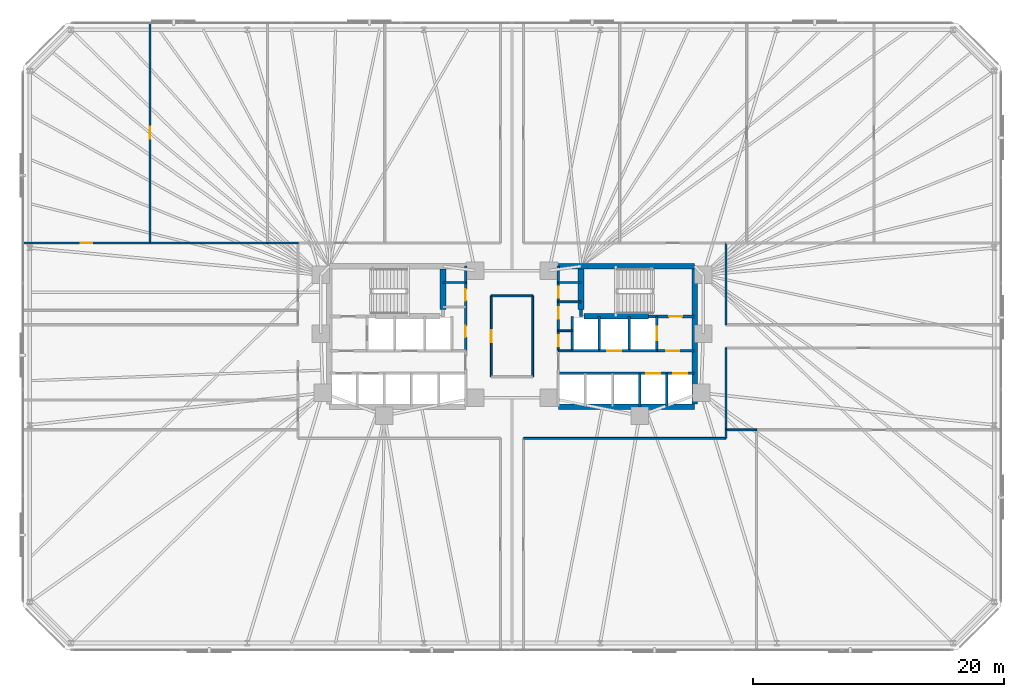
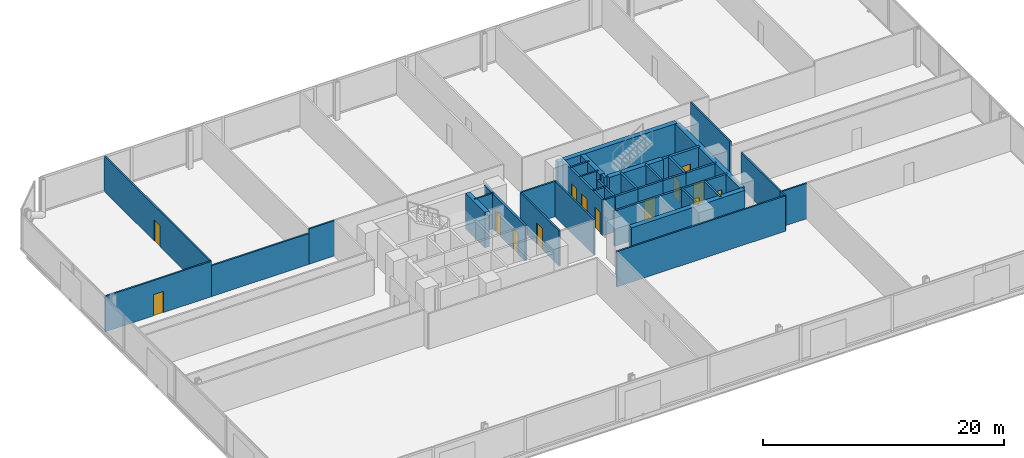
# One storey, part 13 of 16: 38 walls, 14 doors, 14 openings.
"""IFC4 building model written with IfcOpenShell, lengths in metres."""

from ifc_helpers import new_model, si_unit, direction, frame, frame_2d, origin, place, context, subcontext, project, spatial, rectangle, extrude, material, layer, layer_set, type_object, element, fill, save


model = new_model("IFC4")

# Units and contexts
model_context = context("Model", 3, precision=1e-05, world=origin(), true_north=direction((0.0, 1.0)))
body_context = subcontext(model_context, "Body", "Model", "MODEL_VIEW")
ifc_project = project(units=[si_unit("LENGTHUNIT", "METRE"), si_unit("AREAUNIT", "SQUARE_METRE"), si_unit("VOLUMEUNIT", "CUBIC_METRE"), si_unit("PLANEANGLEUNIT", "RADIAN"), si_unit("MASSUNIT", "GRAM", prefix="KILO")], contexts=[model_context])

# Site, building, storey
site_placement = place(None, origin())
site = spatial("IfcSite", under=ifc_project, at=site_placement, CompositionType="ELEMENT")
building_placement = place(site_placement, origin())
building = spatial("IfcBuilding", under=site, at=building_placement, Name="Menara Jurai Vektor", CompositionType="ELEMENT")
storey_placement = place(building_placement, frame((0.0, 0.0, 33.199951171875)))
storey = spatial("IfcBuildingStorey", under=building, at=storey_placement, Name="L07", CompositionType="ELEMENT", Elevation=33.199951171875)

# Wall, opening, door
ifc_material_1 = material(Name="Concrete C40/50", Category="concrete")
ifc_layer_1 = layer(ifc_material_1, 0.25)
ifc_layer_set_1 = layer_set([ifc_layer_1], Name="Concrete C40/50")
wall_type_1 = type_object("IfcWallType", Name="INT-WALL-CORE-250", PredefinedType="STANDARD", material=ifc_layer_set_1)
wall_1_placement = place(storey_placement, frame((10.89990234375, 1.60009765625, 0.0), z_axis=(0.0, 0.0, 1.0), x_axis=(1.0, 0.0, 0.0)))
wall_1 = element("IfcWall", 1, at=wall_1_placement, inside=storey, type_object=wall_type_1, Name="Interior Wall IW-250 L07", PredefinedType="STANDARD", context=body_context, shape_type="SweptSolid", body=[
    extrude(rectangle(XDim=3.60009765625, YDim=0.25, at=frame_2d((1.800048828125, 0.0))), origin(), (0.0, 0.0, 1.0), 3.574951171875),
])
opening_1_placement = place(wall_1_placement, frame((1.6201171875, 0.0, 0.0)))
opening_1 = element("IfcOpeningElement", 2, at=opening_1_placement, cuts=wall_1, Name="Opening D-L07-ST2", PredefinedType="OPENING", context=body_context, shape_type="SweptSolid", body=[
    extrude(rectangle(XDim=1.050048828125, YDim=2.14990234375, at=frame_2d((0.52490234375, 1.074951171875))), frame((0.0, 0.135009765625, 0.0), z_axis=(0.0, -1.0, 0.0), x_axis=(1.0, 0.0, 0.0)), (0.0, 0.0, 1.0), 0.27001953125),
])
ifc_material_2 = material(Name="Fire-Rated Steel Door", Category="steel")
door_type_1 = type_object("IfcDoorType", Name="DR-STAIR-1050", OperationType="NOTDEFINED", PredefinedType="DOOR", material=ifc_material_2)
door_1_placement = place(opening_1_placement, origin())
door_1 = element("IfcDoor", 3, at=door_1_placement, inside=storey, type_object=door_type_1, Name="Exit Stair ST2 Door L07", OperationType="SINGLE_SWING_LEFT", OverallHeight=2.14990234375, OverallWidth=1.050048828125, PredefinedType="DOOR", context=body_context, shape_type="SweptSolid", body=[
    extrude(rectangle(XDim=1.050048828125, YDim=2.14990234375, at=frame_2d((0.52490234375, 1.074951171875))), frame((0.0, 0.02490234375, 0.0), z_axis=(0.0, -1.0, 0.0), x_axis=(1.0, 0.0, 0.0)), (0.0, 0.0, 1.0), 0.050048828125),
])
fill(opening_1, door_1)

# Wall
wall_2_placement = place(storey_placement, frame((5.5, 1.60009765625, 0.0), z_axis=(0.0, 0.0, 1.0), x_axis=(0.0, 1.0, 0.0)))
element("IfcWall", 4, at=wall_2_placement, inside=storey, type_object=wall_type_1, Name="Interior Wall IW-250 L07", PredefinedType="STANDARD", context=body_context, shape_type="SweptSolid", body=[
    extrude(rectangle(XDim=0.5498046875, YDim=0.25, at=frame_2d((0.27490234375, 0.0))), origin(), (0.0, 0.0, 1.0), 3.574951171875),
])

# Wall, opening, door
wall_3_placement = place(storey_placement, frame((11.550048828125, -1.14990234375, 0.0), z_axis=(0.0, 0.0, 1.0), x_axis=(0.0, 1.0, 0.0)))
wall_3 = element("IfcWall", 5, at=wall_3_placement, inside=storey, type_object=wall_type_1, Name="Interior Wall IW-250 L07", PredefinedType="STANDARD", context=body_context, shape_type="SweptSolid", body=[
    extrude(rectangle(XDim=2.75, YDim=0.199951171875, at=frame_2d((1.375, 0.0))), origin(), (0.0, 0.0, 1.0), 3.574951171875),
])
opening_2_placement = place(wall_3_placement, frame((0.824951171875, 0.0, 0.0)))
opening_2 = element("IfcOpeningElement", 6, at=opening_2_placement, cuts=wall_3, Name="Opening LD-L07-FL2", PredefinedType="OPENING", context=body_context, shape_type="SweptSolid", body=[
    extrude(rectangle(XDim=1.10009765625, YDim=2.14990234375, at=frame_2d((0.550048828125, 1.074951171875))), frame((0.0, 0.10986328125, 0.0), z_axis=(0.0, -1.0, 0.0), x_axis=(1.0, 0.0, 0.0)), (0.0, 0.0, 1.0), 0.219970703125),
])
ifc_material_3 = material(Name="Stainless Steel Sliding Lift Landing Door", Category="steel")
door_type_2 = type_object("IfcDoorType", Name="DR-LIFT-FIRE-1100", OperationType="NOTDEFINED", PredefinedType="DOOR", material=ifc_material_3)
door_2_placement = place(opening_2_placement, origin())
door_2 = element("IfcDoor", 7, at=door_2_placement, inside=storey, type_object=door_type_2, Name="Lift Landing Door FL2 L07", OperationType="SLIDING_TO_RIGHT", OverallHeight=2.14990234375, OverallWidth=1.10009765625, PredefinedType="DOOR", context=body_context, shape_type="SweptSolid", body=[
    extrude(rectangle(XDim=1.10009765625, YDim=2.14990234375, at=frame_2d((0.550048828125, 1.074951171875))), frame((0.0, 0.02490234375, 0.0), z_axis=(0.0, -1.0, 0.0), x_axis=(1.0, 0.0, 0.0)), (0.0, 0.0, 1.0), 0.050048828125),
])
fill(opening_2, door_2)

# Wall
wall_4_placement = place(storey_placement, frame((9.35009765625, -1.14990234375, 0.0), z_axis=(0.0, 0.0, 1.0), x_axis=(0.0, 1.0, 0.0)))
element("IfcWall", 8, at=wall_4_placement, inside=storey, type_object=wall_type_1, Name="Interior Wall IW-250 L07", PredefinedType="STANDARD", context=body_context, shape_type="SweptSolid", body=[
    extrude(rectangle(XDim=2.75, YDim=0.199951171875, at=frame_2d((1.375, 0.0))), origin(), (0.0, 0.0, 1.0), 3.574951171875),
])

# Wall, opening, door
wall_5_placement = place(storey_placement, frame((11.550048828125, -1.14990234375, 0.0), z_axis=(0.0, 0.0, 1.0), x_axis=(1.0, 0.0, 0.0)))
wall_5 = element("IfcWall", 9, at=wall_5_placement, inside=storey, type_object=wall_type_1, Name="Interior Wall IW-250 L07", PredefinedType="STANDARD", context=body_context, shape_type="SweptSolid", body=[
    extrude(rectangle(XDim=2.949951171875, YDim=0.199951171875, at=frame_2d((1.47509765625, 0.0))), origin(), (0.0, 0.0, 1.0), 3.574951171875),
])
opening_3_placement = place(wall_5_placement, frame((0.75, 0.0, 0.0)))
opening_3 = element("IfcOpeningElement", 10, at=opening_3_placement, cuts=wall_5, Name="Opening D-L07-FFE", PredefinedType="OPENING", context=body_context, shape_type="SweptSolid", body=[
    extrude(rectangle(XDim=1.050048828125, YDim=2.179931640625, at=frame_2d((0.52490234375, 1.08984375))), frame((0.0, 0.10986328125, 0.0), z_axis=(0.0, -1.0, 0.0), x_axis=(1.0, 0.0, 0.0)), (0.0, 0.0, 1.0), 0.219970703125),
])
ifc_material_4 = material(Name="Fire-Rated Timber Door", Category="wood")
door_type_3 = type_object("IfcDoorType", Name="DR-LOBBY-1050", OperationType="NOTDEFINED", PredefinedType="DOOR", material=ifc_material_4)
door_3_placement = place(opening_3_placement, origin())
door_3 = element("IfcDoor", 11, at=door_3_placement, inside=storey, type_object=door_type_3, Name="Fire Lift Lobby Door E L07", OperationType="SINGLE_SWING_LEFT", OverallHeight=2.179931640625, OverallWidth=1.050048828125, PredefinedType="DOOR", context=body_context, shape_type="SweptSolid", body=[
    extrude(rectangle(XDim=1.050048828125, YDim=2.179931640625, at=frame_2d((0.52490234375, 1.08984375))), frame((0.0, 0.02490234375, 0.0), z_axis=(0.0, -1.0, 0.0), x_axis=(1.0, 0.0, 0.0)), (0.0, 0.0, 1.0), 0.050048828125),
])
fill(opening_3, door_3)

# Walls
wall_6_placement = place(storey_placement, frame((9.35009765625, -1.14990234375, 0.0), z_axis=(0.0, 0.0, 1.0), x_axis=(1.0, 0.0, 0.0)))
element("IfcWall", 12, at=wall_6_placement, inside=storey, type_object=wall_type_1, Name="Interior Wall IW-250 L07", PredefinedType="STANDARD", context=body_context, shape_type="SweptSolid", body=[
    extrude(rectangle(XDim=2.199951171875, YDim=0.199951171875, at=frame_2d((1.10009765625, 0.0))), origin(), (0.0, 0.0, 1.0), 3.574951171875),
])
ifc_material_5 = material(Name="Gypsum Fireboard Partition", Category="gypsum")
ifc_layer_2 = layer(ifc_material_5, 0.14990234375)
ifc_layer_set_2 = layer_set([ifc_layer_2], Name="Gypsum Fireboard Partition")
wall_type_2 = type_object("IfcWallType", Name="INT-WALL-CORR-150", PredefinedType="PARTITIONING", material=ifc_layer_set_2)
wall_7_placement = place(storey_placement, frame((3.699951171875, -1.14990234375, 0.0), z_axis=(0.0, 0.0, 1.0), x_axis=(1.0, 0.0, 0.0)))
element("IfcWall", 13, at=wall_7_placement, inside=storey, type_object=wall_type_2, Name="Interior Wall IW-150 L07", PredefinedType="PARTITIONING", context=body_context, shape_type="SweptSolid", body=[
    extrude(rectangle(XDim=1.090087890625, YDim=0.14990234375, at=frame_2d((0.544921875, 0.0))), origin(), (0.0, 0.0, 1.0), 3.574951171875),
])
for number, where, z_axis, x_axis, name in (
    (14, (-5.5, 4.300048828125, 0.0), (0.0, 0.0, 1.0), (1.0, 0.0, 0.0), "Interior Wall IW-150 L07"),
    (15, (3.699951171875, 4.300048828125, 0.0), (0.0, 0.0, 1.0), (1.0, 0.0, 0.0), "Interior Wall IW-150 L07"),
):
    element("IfcWall", number, at=place(storey_placement, frame(where, z_axis=z_axis, x_axis=x_axis)), inside=storey, type_object=wall_type_2, Name=name, PredefinedType="PARTITIONING", context=body_context, shape_type="SweptSolid", body=[
        extrude(rectangle(XDim=1.800048828125, YDim=0.14990234375, at=frame_2d((0.89990234375, 0.0))), origin(), (0.0, 0.0, 1.0), 3.574951171875),
    ])
wall_8_placement = place(storey_placement, frame((3.699951171875, 0.449951171875, 0.0), z_axis=(0.0, 0.0, 1.0), x_axis=(1.0, 0.0, 0.0)))
element("IfcWall", 16, at=wall_8_placement, inside=storey, type_object=wall_type_2, Name="Interior Wall IW-150 L07", PredefinedType="PARTITIONING", context=body_context, shape_type="SweptSolid", body=[
    extrude(rectangle(XDim=1.090087890625, YDim=0.14990234375, at=frame_2d((0.544921875, 0.0))), origin(), (0.0, 0.0, 1.0), 3.574951171875),
])
wall_9_placement = place(storey_placement, frame((3.699951171875, 2.75, 0.0), z_axis=(0.0, 0.0, 1.0), x_axis=(1.0, 0.0, 0.0)))
element("IfcWall", 17, at=wall_9_placement, inside=storey, type_object=wall_type_2, Name="Interior Wall IW-150 L07", PredefinedType="PARTITIONING", context=body_context, shape_type="SweptSolid", body=[
    extrude(rectangle(XDim=1.800048828125, YDim=0.14990234375, at=frame_2d((0.89990234375, 0.0))), origin(), (0.0, 0.0, 1.0), 3.574951171875),
])

# Wall, opening, door
wall_10_placement = place(storey_placement, frame((-1.64990234375, -3.22998046875, 0.0), z_axis=(0.0, 0.0, 1.0), x_axis=(0.0, 1.0, 0.0)))
wall_10 = element("IfcWall", 18, at=wall_10_placement, inside=storey, type_object=wall_type_2, Name="Interior Wall IW-150 L07", PredefinedType="PARTITIONING", context=body_context, shape_type="SweptSolid", body=[
    extrude(rectangle(XDim=6.4599609375, YDim=0.14990234375, at=frame_2d((3.22998046875, 0.0))), origin(), (0.0, 0.0, 1.0), 3.574951171875),
])
opening_4_placement = place(wall_10_placement, frame((2.7548828125, 0.0, 0.0)))
opening_4 = element("IfcOpeningElement", 19, at=opening_4_placement, cuts=wall_10, Name="Opening D07-06", PredefinedType="OPENING", context=body_context, shape_type="SweptSolid", body=[
    extrude(rectangle(XDim=0.949951171875, YDim=2.14990234375, at=frame_2d((0.47509765625, 1.074951171875))), frame((0.0, 0.0849609375, 0.0), z_axis=(0.0, -1.0, 0.0), x_axis=(1.0, 0.0, 0.0)), (0.0, 0.0, 1.0), 0.169921875),
])
ifc_material_6 = material(Name="Solid Core Timber Fire Door", Category="wood")
door_type_4 = type_object("IfcDoorType", Name="DR-ENTRY-950", OperationType="NOTDEFINED", PredefinedType="DOOR", material=ifc_material_6)
door_4_placement = place(opening_4_placement, origin())
door_4 = element("IfcDoor", 20, at=door_4_placement, inside=storey, type_object=door_type_4, Name="Interior Door D07-06", OperationType="SINGLE_SWING_LEFT", OverallHeight=2.14990234375, OverallWidth=0.949951171875, PredefinedType="DOOR", context=body_context, shape_type="SweptSolid", body=[
    extrude(rectangle(XDim=0.949951171875, YDim=2.14990234375, at=frame_2d((0.47509765625, 1.074951171875))), frame((0.0, 0.02490234375, 0.0), z_axis=(0.0, -1.0, 0.0), x_axis=(1.0, 0.0, 0.0)), (0.0, 0.0, 1.0), 0.050048828125),
])
fill(opening_4, door_4)

# Walls
wall_11_placement = place(storey_placement, frame((-1.64990234375, 3.22998046875, 0.0), z_axis=(0.0, 0.0, 1.0), x_axis=(1.0, 0.0, 0.0)))
element("IfcWall", 21, at=wall_11_placement, inside=storey, type_object=wall_type_2, Name="Interior Wall IW-150 L07", PredefinedType="PARTITIONING", context=body_context, shape_type="SweptSolid", body=[
    extrude(rectangle(XDim=3.2998046875, YDim=0.14990234375, at=frame_2d((1.64990234375, 0.0))), origin(), (0.0, 0.0, 1.0), 3.574951171875),
])
wall_12_placement = place(storey_placement, frame((1.64990234375, -3.22998046875, 0.0), z_axis=(0.0, 0.0, 1.0), x_axis=(0.0, 1.0, 0.0)))
element("IfcWall", 22, at=wall_12_placement, inside=storey, type_object=wall_type_2, Name="Interior Wall IW-150 L07", PredefinedType="PARTITIONING", context=body_context, shape_type="SweptSolid", body=[
    extrude(rectangle(XDim=6.4599609375, YDim=0.14990234375, at=frame_2d((3.22998046875, 0.0))), origin(), (0.0, 0.0, 1.0), 3.574951171875),
])
wall_13_placement = place(storey_placement, frame((0.919921875, -8.1298828125, 0.0), z_axis=(0.0, 0.0, 1.0), x_axis=(1.0, 0.0, 0.0)))
element("IfcWall", 23, at=wall_13_placement, inside=storey, type_object=wall_type_2, Name="Interior Wall IW-150 L07", PredefinedType="PARTITIONING", context=body_context, shape_type="SweptSolid", body=[
    extrude(rectangle(XDim=16.13916015625, YDim=0.14990234375, at=frame_2d((8.069580078125, 0.0))), origin(), (0.0, 0.0, 1.0), 3.574951171875),
])
wall_14_placement = place(storey_placement, frame((17.05908203125, -8.1298828125, 0.0), z_axis=(0.0, 0.0, 1.0), x_axis=(0.0, 1.0, 0.0)))
element("IfcWall", 24, at=wall_14_placement, inside=storey, type_object=wall_type_2, Name="Interior Wall IW-150 L07", PredefinedType="PARTITIONING", context=body_context, shape_type="SweptSolid", body=[
    extrude(rectangle(XDim=0.679931640625, YDim=0.14990234375, at=frame_2d((0.33984375, 0.0))), origin(), (0.0, 0.0, 1.0), 3.574951171875),
])
for number, where, z_axis, x_axis, name in (
    (25, (17.05908203125, -7.449951171875, 0.0), (0.0, 0.0, 1.0), (0.0, 1.0, 0.0), "Interior Wall IW-150 L07"),
    (26, (17.05908203125, 0.919921875, 0.0), (0.0, 0.0, 1.0), (0.0, 1.0, 0.0), "Interior Wall IW-150 L07"),
):
    element("IfcWall", number, at=place(storey_placement, frame(where, z_axis=z_axis, x_axis=x_axis)), inside=storey, type_object=wall_type_2, Name=name, PredefinedType="PARTITIONING", context=body_context, shape_type="SweptSolid", body=[
        extrude(rectangle(XDim=6.530029296875, YDim=0.14990234375, at=frame_2d((3.26513671875, 0.0))), origin(), (0.0, 0.0, 1.0), 3.574951171875),
    ])

# Wall, opening, door
wall_15_placement = place(storey_placement, frame((-28.860107421875, 7.449951171875, 0.0), z_axis=(0.0, 0.0, 1.0), x_axis=(0.0, 1.0, 0.0)))
wall_15 = element("IfcWall", 27, at=wall_15_placement, inside=storey, type_object=wall_type_2, Name="Interior Wall IW-150 L07", PredefinedType="PARTITIONING", context=body_context, shape_type="SweptSolid", body=[
    extrude(rectangle(XDim=17.550048828125, YDim=0.14990234375, at=frame_2d((8.77490234375, 0.0))), origin(), (0.0, 0.0, 1.0), 3.574951171875),
])
opening_5_placement = place(wall_15_placement, frame((8.300048828125, 0.0, 0.0)))
opening_5 = element("IfcOpeningElement", 28, at=opening_5_placement, cuts=wall_15, Name="Opening D07-20", PredefinedType="OPENING", context=body_context, shape_type="SweptSolid", body=[
    extrude(rectangle(XDim=0.949951171875, YDim=2.14990234375, at=frame_2d((0.47509765625, 1.074951171875))), frame((0.0, 0.0849609375, 0.0), z_axis=(0.0, -1.0, 0.0), x_axis=(1.0, 0.0, 0.0)), (0.0, 0.0, 1.0), 0.169921875),
])
door_5_placement = place(opening_5_placement, origin())
door_5 = element("IfcDoor", 29, at=door_5_placement, inside=storey, type_object=door_type_4, Name="Interior Door D07-20", OperationType="SINGLE_SWING_LEFT", OverallHeight=2.14990234375, OverallWidth=0.949951171875, PredefinedType="DOOR", context=body_context, shape_type="SweptSolid", body=[
    extrude(rectangle(XDim=0.949951171875, YDim=2.14990234375, at=frame_2d((0.47509765625, 1.074951171875))), frame((0.0, 0.02490234375, 0.0), z_axis=(0.0, -1.0, 0.0), x_axis=(1.0, 0.0, 0.0)), (0.0, 0.0, 1.0), 0.050048828125),
])
fill(opening_5, door_5)

wall_16_placement = place(storey_placement, frame((-39.0, 7.449951171875, 0.0), z_axis=(0.0, 0.0, 1.0), x_axis=(1.0, 0.0, 0.0)))
wall_16 = element("IfcWall", 30, at=wall_16_placement, inside=storey, type_object=wall_type_2, Name="Interior Wall IW-150 L07", PredefinedType="PARTITIONING", context=body_context, shape_type="SweptSolid", body=[
    extrude(rectangle(XDim=10.139892578125, YDim=0.14990234375, at=frame_2d((5.06982421875, 0.0))), origin(), (0.0, 0.0, 1.0), 3.574951171875),
])
opening_6_placement = place(wall_16_placement, frame((4.594970703125, 0.0, 0.0)))
opening_6 = element("IfcOpeningElement", 31, at=opening_6_placement, cuts=wall_16, Name="Opening D07-19", PredefinedType="OPENING", context=body_context, shape_type="SweptSolid", body=[
    extrude(rectangle(XDim=0.949951171875, YDim=2.14990234375, at=frame_2d((0.47509765625, 1.074951171875))), frame((0.0, 0.0849609375, 0.0), z_axis=(0.0, -1.0, 0.0), x_axis=(1.0, 0.0, 0.0)), (0.0, 0.0, 1.0), 0.169921875),
])
door_6_placement = place(opening_6_placement, origin())
door_6 = element("IfcDoor", 32, at=door_6_placement, inside=storey, type_object=door_type_4, Name="Interior Door D07-19", OperationType="SINGLE_SWING_RIGHT", OverallHeight=2.14990234375, OverallWidth=0.949951171875, PredefinedType="DOOR", context=body_context, shape_type="SweptSolid", body=[
    extrude(rectangle(XDim=0.949951171875, YDim=2.14990234375, at=frame_2d((0.47509765625, 1.074951171875))), frame((0.0, 0.02490234375, 0.0), z_axis=(0.0, -1.0, 0.0), x_axis=(1.0, 0.0, 0.0)), (0.0, 0.0, 1.0), 0.050048828125),
])
fill(opening_6, door_6)

# Walls
for number, where, z_axis, x_axis, name in (
    (33, (-19.5, 7.449951171875, 0.0), (0.0, 0.0, 1.0), (1.0, 0.0, 0.0), "Interior Wall IW-150 L07"),
    (34, (17.05908203125, -7.449951171875, 0.0), (0.0, 0.0, 1.0), (1.0, 0.0, 0.0), "Interior Wall IW-150 L07"),
):
    element("IfcWall", number, at=place(storey_placement, frame(where, z_axis=z_axis, x_axis=x_axis)), inside=storey, type_object=wall_type_2, Name=name, PredefinedType="PARTITIONING", context=body_context, shape_type="SweptSolid", body=[
        extrude(rectangle(XDim=2.44091796875, YDim=0.14990234375, at=frame_2d((1.220458984375, 0.0))), origin(), (0.0, 0.0, 1.0), 3.574951171875),
    ])
ifc_layer_3 = layer(ifc_material_5, 0.14990234375)
ifc_layer_set_3 = layer_set([ifc_layer_3], Name="Gypsum Fireboard Partition")
wall_type_3 = type_object("IfcWallType", Name="INT-WALL-CORR-150-H1", PredefinedType="PARTITIONING", material=ifc_layer_set_3)
wall_17_placement = place(storey_placement, frame((-28.860107421875, 7.449951171875, 0.0), z_axis=(0.0, 0.0, 1.0), x_axis=(1.0, 0.0, 0.0)))
element("IfcWall", 35, at=wall_17_placement, inside=storey, type_object=wall_type_3, Name="Interior Wall IW-150 L07", PredefinedType="PARTITIONING", context=body_context, shape_type="SweptSolid", body=[
    extrude(rectangle(XDim=9.360107421875, YDim=0.14990234375, at=frame_2d((4.68017578125, 0.0))), origin(), (0.0, 0.0, 1.0), 3.125),
])

# Wall, openings, doors
ifc_layer_4 = layer(ifc_material_1, 0.199951171875)
ifc_layer_set_4 = layer_set([ifc_layer_4], Name="Concrete C40/50")
wall_type_4 = type_object("IfcWallType", Name="INT-WALL-SHAFT-200", PredefinedType="STANDARD", material=ifc_layer_set_4)
wall_18_placement = place(storey_placement, frame((-3.699951171875, -1.14990234375, 0.0), z_axis=(0.0, 0.0, 1.0), x_axis=(0.0, 1.0, 0.0)))
wall_18 = element("IfcWall", 36, at=wall_18_placement, inside=storey, type_object=wall_type_4, Name="Interior Wall IW-200 L07", PredefinedType="STANDARD", context=body_context, shape_type="SweptSolid", body=[
    extrude(rectangle(XDim=6.75, YDim=0.199951171875, at=frame_2d((3.375, 0.0))), origin(), (0.0, 0.0, 1.0), 3.574951171875),
])
opening_7_placement = place(wall_18_placement, frame((1.10009765625, 0.0, 0.0)))
opening_7 = element("IfcOpeningElement", 37, at=opening_7_placement, cuts=wall_18, Name="Opening D07-01", PredefinedType="OPENING", context=body_context, shape_type="SweptSolid", body=[
    extrude(rectangle(XDim=0.89990234375, YDim=2.14990234375, at=frame_2d((0.449951171875, 1.074951171875))), frame((0.0, 0.10986328125, 0.0), z_axis=(0.0, -1.0, 0.0), x_axis=(1.0, 0.0, 0.0)), (0.0, 0.0, 1.0), 0.219970703125),
])
opening_8_placement = place(wall_18_placement, frame((4.0, 0.0, 0.0)))
opening_8 = element("IfcOpeningElement", 38, at=opening_8_placement, cuts=wall_18, Name="Opening D07-02", PredefinedType="OPENING", context=body_context, shape_type="SweptSolid", body=[
    extrude(rectangle(XDim=0.919921875, YDim=2.14990234375, at=frame_2d((0.4599609375, 1.074951171875))), frame((0.0, 0.10986328125, 0.0), z_axis=(0.0, -1.0, 0.0), x_axis=(1.0, 0.0, 0.0)), (0.0, 0.0, 1.0), 0.219970703125),
])
door_7_placement = place(opening_7_placement, origin())
door_7 = element("IfcDoor", 39, at=door_7_placement, inside=storey, type_object=door_type_4, Name="Interior Door D07-01", OperationType="SINGLE_SWING_LEFT", OverallHeight=2.14990234375, OverallWidth=0.89990234375, PredefinedType="DOOR", context=body_context, shape_type="SweptSolid", body=[
    extrude(rectangle(XDim=0.89990234375, YDim=2.14990234375, at=frame_2d((0.449951171875, 1.074951171875))), frame((0.0, 0.02490234375, 0.0), z_axis=(0.0, -1.0, 0.0), x_axis=(1.0, 0.0, 0.0)), (0.0, 0.0, 1.0), 0.050048828125),
])
fill(opening_7, door_7)
door_8_placement = place(opening_8_placement, origin())
door_8 = element("IfcDoor", 40, at=door_8_placement, inside=storey, type_object=door_type_4, Name="Interior Door D07-02", OperationType="SINGLE_SWING_LEFT", OverallHeight=2.14990234375, OverallWidth=0.919921875, PredefinedType="DOOR", context=body_context, shape_type="SweptSolid", body=[
    extrude(rectangle(XDim=0.919921875, YDim=2.14990234375, at=frame_2d((0.4599609375, 1.074951171875))), frame((0.0, 0.02490234375, 0.0), z_axis=(0.0, -1.0, 0.0), x_axis=(1.0, 0.0, 0.0)), (0.0, 0.0, 1.0), 0.050048828125),
])
fill(opening_8, door_8)

wall_19_placement = place(storey_placement, frame((3.699951171875, -1.14990234375, 0.0), z_axis=(0.0, 0.0, 1.0), x_axis=(0.0, 1.0, 0.0)))
wall_19 = element("IfcWall", 41, at=wall_19_placement, inside=storey, type_object=wall_type_4, Name="Interior Wall IW-200 L07", PredefinedType="STANDARD", context=body_context, shape_type="SweptSolid", body=[
    extrude(rectangle(XDim=6.75, YDim=0.199951171875, at=frame_2d((3.375, 0.0))), origin(), (0.0, 0.0, 1.0), 3.574951171875),
])
opening_9_placement = place(wall_19_placement, frame((0.35009765625, 0.0, 0.0)))
opening_9 = element("IfcOpeningElement", 42, at=opening_9_placement, cuts=wall_19, Name="Opening D07-03", PredefinedType="OPENING", context=body_context, shape_type="SweptSolid", body=[
    extrude(rectangle(XDim=0.8798828125, YDim=2.14990234375, at=frame_2d((0.43994140625, 1.074951171875))), frame((0.0, 0.10986328125, 0.0), z_axis=(0.0, -1.0, 0.0), x_axis=(1.0, 0.0, 0.0)), (0.0, 0.0, 1.0), 0.219970703125),
])
opening_10_placement = place(wall_19_placement, frame((2.550048828125, 0.0, 0.0)))
opening_10 = element("IfcOpeningElement", 43, at=opening_10_placement, cuts=wall_19, Name="Opening D07-04", PredefinedType="OPENING", context=body_context, shape_type="SweptSolid", body=[
    extrude(rectangle(XDim=0.919921875, YDim=2.14990234375, at=frame_2d((0.4599609375, 1.074951171875))), frame((0.0, 0.10986328125, 0.0), z_axis=(0.0, -1.0, 0.0), x_axis=(1.0, 0.0, 0.0)), (0.0, 0.0, 1.0), 0.219970703125),
])
opening_11_placement = place(wall_19_placement, frame((4.219970703125, 0.0, 0.0)))
opening_11 = element("IfcOpeningElement", 44, at=opening_11_placement, cuts=wall_19, Name="Opening D07-05", PredefinedType="OPENING", context=body_context, shape_type="SweptSolid", body=[
    extrude(rectangle(XDim=0.8798828125, YDim=2.14990234375, at=frame_2d((0.43994140625, 1.074951171875))), frame((0.0, 0.10986328125, 0.0), z_axis=(0.0, -1.0, 0.0), x_axis=(1.0, 0.0, 0.0)), (0.0, 0.0, 1.0), 0.219970703125),
])
door_9_placement = place(opening_9_placement, origin())
door_9 = element("IfcDoor", 45, at=door_9_placement, inside=storey, type_object=door_type_4, Name="Interior Door D07-03", OperationType="SINGLE_SWING_RIGHT", OverallHeight=2.14990234375, OverallWidth=0.8798828125, PredefinedType="DOOR", context=body_context, shape_type="SweptSolid", body=[
    extrude(rectangle(XDim=0.8798828125, YDim=2.14990234375, at=frame_2d((0.43994140625, 1.074951171875))), frame((0.0, 0.02490234375, 0.0), z_axis=(0.0, -1.0, 0.0), x_axis=(1.0, 0.0, 0.0)), (0.0, 0.0, 1.0), 0.050048828125),
])
fill(opening_9, door_9)
door_10_placement = place(opening_10_placement, origin())
door_10 = element("IfcDoor", 46, at=door_10_placement, inside=storey, type_object=door_type_4, Name="Interior Door D07-04", OperationType="SINGLE_SWING_RIGHT", OverallHeight=2.14990234375, OverallWidth=0.919921875, PredefinedType="DOOR", context=body_context, shape_type="SweptSolid", body=[
    extrude(rectangle(XDim=0.919921875, YDim=2.14990234375, at=frame_2d((0.4599609375, 1.074951171875))), frame((0.0, 0.02490234375, 0.0), z_axis=(0.0, -1.0, 0.0), x_axis=(1.0, 0.0, 0.0)), (0.0, 0.0, 1.0), 0.050048828125),
])
fill(opening_10, door_10)
door_11_placement = place(opening_11_placement, origin())
door_11 = element("IfcDoor", 47, at=door_11_placement, inside=storey, type_object=door_type_4, Name="Interior Door D07-05", OperationType="SINGLE_SWING_RIGHT", OverallHeight=2.14990234375, OverallWidth=0.8798828125, PredefinedType="DOOR", context=body_context, shape_type="SweptSolid", body=[
    extrude(rectangle(XDim=0.8798828125, YDim=2.14990234375, at=frame_2d((0.43994140625, 1.074951171875))), frame((0.0, 0.02490234375, 0.0), z_axis=(0.0, -1.0, 0.0), x_axis=(1.0, 0.0, 0.0)), (0.0, 0.0, 1.0), 0.050048828125),
])
fill(opening_11, door_11)

# Wall
wall_20_placement = place(storey_placement, frame((6.949951171875, -1.14990234375, 0.0), z_axis=(0.0, 0.0, 1.0), x_axis=(0.0, 1.0, 0.0)))
element("IfcWall", 48, at=wall_20_placement, inside=storey, type_object=wall_type_4, Name="Interior Wall IW-200 L07", PredefinedType="STANDARD", context=body_context, shape_type="SweptSolid", body=[
    extrude(rectangle(XDim=2.75, YDim=0.199951171875, at=frame_2d((1.375, 0.0))), origin(), (0.0, 0.0, 1.0), 3.574951171875),
])

# Wall, opening, door
wall_21_placement = place(storey_placement, frame((6.949951171875, -1.14990234375, 0.0), z_axis=(0.0, 0.0, 1.0), x_axis=(1.0, 0.0, 0.0)))
wall_21 = element("IfcWall", 49, at=wall_21_placement, inside=storey, type_object=wall_type_4, Name="Interior Wall IW-200 L07", PredefinedType="STANDARD", context=body_context, shape_type="SweptSolid", body=[
    extrude(rectangle(XDim=2.400146484375, YDim=0.199951171875, at=frame_2d((1.2001953125, 0.0))), origin(), (0.0, 0.0, 1.0), 3.574951171875),
])
opening_12_placement = place(wall_21_placement, frame((0.64990234375, 0.0, 0.0)))
opening_12 = element("IfcOpeningElement", 50, at=opening_12_placement, cuts=wall_21, Name="Opening LD-L07-SVL2", PredefinedType="OPENING", context=body_context, shape_type="SweptSolid", body=[
    extrude(rectangle(XDim=1.10009765625, YDim=2.14990234375, at=frame_2d((0.550048828125, 1.074951171875))), frame((0.0, 0.10986328125, 0.0), z_axis=(0.0, -1.0, 0.0), x_axis=(1.0, 0.0, 0.0)), (0.0, 0.0, 1.0), 0.219970703125),
])
ifc_material_7 = material(Name="Anodised Stainless Sliding Lift Landing Door", Category="steel")
door_type_5 = type_object("IfcDoorType", Name="DR-LIFT-PASS-1100", OperationType="NOTDEFINED", PredefinedType="DOOR", material=ifc_material_7)
door_12_placement = place(opening_12_placement, origin())
door_12 = element("IfcDoor", 51, at=door_12_placement, inside=storey, type_object=door_type_5, Name="Lift Landing Door SVL2 L07", OperationType="SLIDING_TO_RIGHT", OverallHeight=2.14990234375, OverallWidth=1.10009765625, PredefinedType="DOOR", context=body_context, shape_type="SweptSolid", body=[
    extrude(rectangle(XDim=1.10009765625, YDim=2.14990234375, at=frame_2d((0.550048828125, 1.074951171875))), frame((0.0, 0.02490234375, 0.0), z_axis=(0.0, -1.0, 0.0), x_axis=(1.0, 0.0, 0.0)), (0.0, 0.0, 1.0), 0.050048828125),
])
fill(opening_12, door_12)

# Walls
wall_22_placement = place(storey_placement, frame((4.7900390625, -1.14990234375, 0.0), z_axis=(0.0, 0.0, 1.0), x_axis=(0.0, 1.0, 0.0)))
element("IfcWall", 52, at=wall_22_placement, inside=storey, type_object=wall_type_4, Name="Interior Wall IW-200 L07", PredefinedType="STANDARD", context=body_context, shape_type="SweptSolid", body=[
    extrude(rectangle(XDim=2.75, YDim=0.199951171875, at=frame_2d((1.375, 0.0))), origin(), (0.0, 0.0, 1.0), 3.574951171875),
])
wall_23_placement = place(storey_placement, frame((4.7900390625, -1.14990234375, 0.0), z_axis=(0.0, 0.0, 1.0), x_axis=(1.0, 0.0, 0.0)))
element("IfcWall", 53, at=wall_23_placement, inside=storey, type_object=wall_type_4, Name="Interior Wall IW-200 L07", PredefinedType="STANDARD", context=body_context, shape_type="SweptSolid", body=[
    extrude(rectangle(XDim=2.159912109375, YDim=0.199951171875, at=frame_2d((1.080078125, 0.0))), origin(), (0.0, 0.0, 1.0), 3.574951171875),
])

# Wall, openings, doors
wall_24_placement = place(storey_placement, frame((3.699951171875, -2.949951171875, 0.0), z_axis=(0.0, 0.0, 1.0), x_axis=(1.0, 0.0, 0.0)))
wall_24 = element("IfcWall", 54, at=wall_24_placement, inside=storey, type_object=wall_type_4, Name="Interior Wall IW-200 L07", PredefinedType="STANDARD", context=body_context, shape_type="SweptSolid", body=[
    extrude(rectangle(XDim=10.800048828125, YDim=0.199951171875, at=frame_2d((5.39990234375, 0.0))), origin(), (0.0, 0.0, 1.0), 3.574951171875),
])
opening_13_placement = place(wall_24_placement, frame((7.010009765625, 0.0, 0.0)))
opening_13 = element("IfcOpeningElement", 55, at=opening_13_placement, cuts=wall_24, Name="Opening LD-L07-PL3", PredefinedType="OPENING", context=body_context, shape_type="SweptSolid", body=[
    extrude(rectangle(XDim=1.10009765625, YDim=2.14990234375, at=frame_2d((0.550048828125, 1.074951171875))), frame((0.0, 0.10986328125, 0.0), z_axis=(0.0, -1.0, 0.0), x_axis=(1.0, 0.0, 0.0)), (0.0, 0.0, 1.0), 0.219970703125),
])
opening_14_placement = place(wall_24_placement, frame((9.169921875, 0.0, 0.0)))
opening_14 = element("IfcOpeningElement", 56, at=opening_14_placement, cuts=wall_24, Name="Opening LD-L07-PL4", PredefinedType="OPENING", context=body_context, shape_type="SweptSolid", body=[
    extrude(rectangle(XDim=1.10009765625, YDim=2.14990234375, at=frame_2d((0.550048828125, 1.074951171875))), frame((0.0, 0.10986328125, 0.0), z_axis=(0.0, -1.0, 0.0), x_axis=(1.0, 0.0, 0.0)), (0.0, 0.0, 1.0), 0.219970703125),
])
door_13_placement = place(opening_13_placement, origin())
door_13 = element("IfcDoor", 57, at=door_13_placement, inside=storey, type_object=door_type_5, Name="Lift Landing Door PL3 L07", OperationType="SLIDING_TO_RIGHT", OverallHeight=2.14990234375, OverallWidth=1.10009765625, PredefinedType="DOOR", context=body_context, shape_type="SweptSolid", body=[
    extrude(rectangle(XDim=1.10009765625, YDim=2.14990234375, at=frame_2d((0.550048828125, 1.074951171875))), frame((0.0, 0.02490234375, 0.0), z_axis=(0.0, -1.0, 0.0), x_axis=(1.0, 0.0, 0.0)), (0.0, 0.0, 1.0), 0.050048828125),
])
fill(opening_13, door_13)
door_14_placement = place(opening_14_placement, origin())
door_14 = element("IfcDoor", 58, at=door_14_placement, inside=storey, type_object=door_type_5, Name="Lift Landing Door PL4 L07", OperationType="SLIDING_TO_LEFT", OverallHeight=2.14990234375, OverallWidth=1.10009765625, PredefinedType="DOOR", context=body_context, shape_type="SweptSolid", body=[
    extrude(rectangle(XDim=1.10009765625, YDim=2.14990234375, at=frame_2d((0.550048828125, 1.074951171875))), frame((0.0, 0.02490234375, 0.0), z_axis=(0.0, -1.0, 0.0), x_axis=(1.0, 0.0, 0.0)), (0.0, 0.0, 1.0), 0.050048828125),
])
fill(opening_14, door_14)

# Walls
for number, where, z_axis, x_axis, name in (
    (59, (12.340087890625, -5.60009765625, 0.0), (0.0, 0.0, 1.0), (0.0, 1.0, 0.0), "Interior Wall IW-200 L07"),
    (60, (10.179931640625, -5.60009765625, 0.0), (0.0, 0.0, 1.0), (0.0, 1.0, 0.0), "Interior Wall IW-200 L07"),
):
    element("IfcWall", number, at=place(storey_placement, frame(where, z_axis=z_axis, x_axis=x_axis)), inside=storey, type_object=wall_type_4, Name=name, PredefinedType="STANDARD", context=body_context, shape_type="SweptSolid", body=[
        extrude(rectangle(XDim=2.650146484375, YDim=0.179931640625, at=frame_2d((1.3251953125, 0.0))), origin(), (0.0, 0.0, 1.0), 3.574951171875),
    ])
ifc_material_8 = material(Name="Concrete C60/75", Category="concrete")
ifc_layer_5 = layer(ifc_material_8, 0.449951171875)
ifc_layer_set_5 = layer_set([ifc_layer_5], Name="Concrete C60/75")
wall_type_5 = type_object("IfcWallType", Name="STR-WALL-CORE450", PredefinedType="SHEAR", material=ifc_layer_set_5)
wall_25_placement = place(storey_placement, frame((-5.5, 2.14990234375, 0.0), z_axis=(0.0, 0.0, 1.0), x_axis=(0.0, 1.0, 0.0)))
element("IfcWall", 61, at=wall_25_placement, inside=storey, type_object=wall_type_5, Name="Core Shear Wall CW-W-ST L07", PredefinedType="SHEAR", context=body_context, shape_type="SweptSolid", body=[
    extrude(rectangle(XDim=3.22509765625, YDim=0.449951171875, at=frame_2d((1.612548828125, 0.0))), origin(), (0.0, 0.0, 1.0), 3.574951171875),
])
wall_26_placement = place(storey_placement, frame((3.14990234375, 5.60009765625, 0.0), z_axis=(0.0, 0.0, 1.0), x_axis=(1.0, 0.0, 0.0)))
element("IfcWall", 62, at=wall_26_placement, inside=storey, type_object=wall_type_5, Name="Core Shear Wall CW-E-N L07", PredefinedType="SHEAR", context=body_context, shape_type="SweptSolid", body=[
    extrude(rectangle(XDim=11.41015625, YDim=0.449951171875, at=frame_2d((5.705078125, 0.0))), origin(), (0.0, 0.0, 1.0), 3.574951171875),
])
wall_27_placement = place(storey_placement, frame((3.699951171875, -5.60009765625, 0.0), z_axis=(0.0, 0.0, 1.0), x_axis=(1.0, 0.0, 0.0)))
element("IfcWall", 63, at=wall_27_placement, inside=storey, type_object=wall_type_5, Name="Core Shear Wall CW-E-S L07", PredefinedType="SHEAR", context=body_context, shape_type="SweptSolid", body=[
    extrude(rectangle(XDim=10.860107421875, YDim=0.449951171875, at=frame_2d((5.43017578125, 0.0))), origin(), (0.0, 0.0, 1.0), 3.574951171875),
])
wall_28_placement = place(storey_placement, frame((14.56005859375, -5.375, 0.0), z_axis=(0.0, 0.0, 1.0), x_axis=(0.0, 1.0, 0.0)))
element("IfcWall", 64, at=wall_28_placement, inside=storey, type_object=wall_type_5, Name="Core Shear Wall CW-E-E L07", PredefinedType="SHEAR", context=body_context, shape_type="SweptSolid", body=[
    extrude(rectangle(XDim=10.75, YDim=0.449951171875, at=frame_2d((5.375, 0.0))), origin(), (0.0, 0.0, 1.0), 3.574951171875),
])
wall_29_placement = place(storey_placement, frame((5.5, 2.14990234375, 0.0), z_axis=(0.0, 0.0, 1.0), x_axis=(0.0, 1.0, 0.0)))
element("IfcWall", 65, at=wall_29_placement, inside=storey, type_object=wall_type_5, Name="Core Shear Wall CW-E-ST L07", PredefinedType="SHEAR", context=body_context, shape_type="SweptSolid", body=[
    extrude(rectangle(XDim=3.22509765625, YDim=0.449951171875, at=frame_2d((1.612548828125, 0.0))), origin(), (0.0, 0.0, 1.0), 3.574951171875),
])
wall_30_placement = place(storey_placement, frame((5.75, 1.60009765625, 0.0), z_axis=(0.0, 0.0, 1.0), x_axis=(1.0, 0.0, 0.0)))
element("IfcWall", 66, at=wall_30_placement, inside=storey, type_object=wall_type_5, Name="Core Shear Wall CW-E-STS L07", PredefinedType="SHEAR", context=body_context, shape_type="SweptSolid", body=[
    extrude(rectangle(XDim=5.14990234375, YDim=0.449951171875, at=frame_2d((2.574951171875, 0.0))), origin(), (0.0, 0.0, 1.0), 3.574951171875),
])

save(model, "model.ifc")
